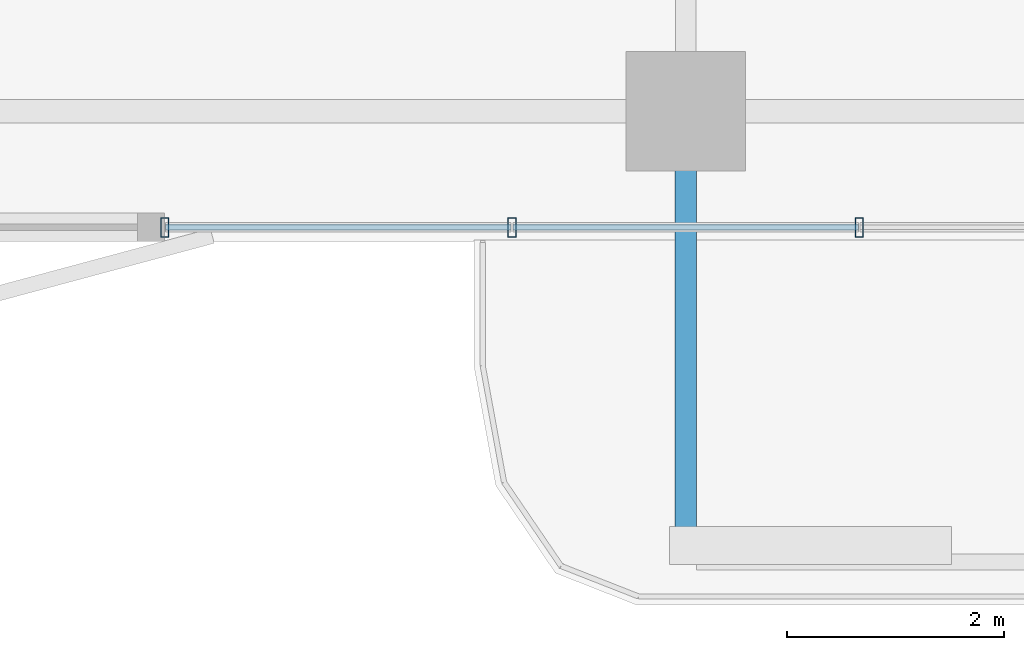
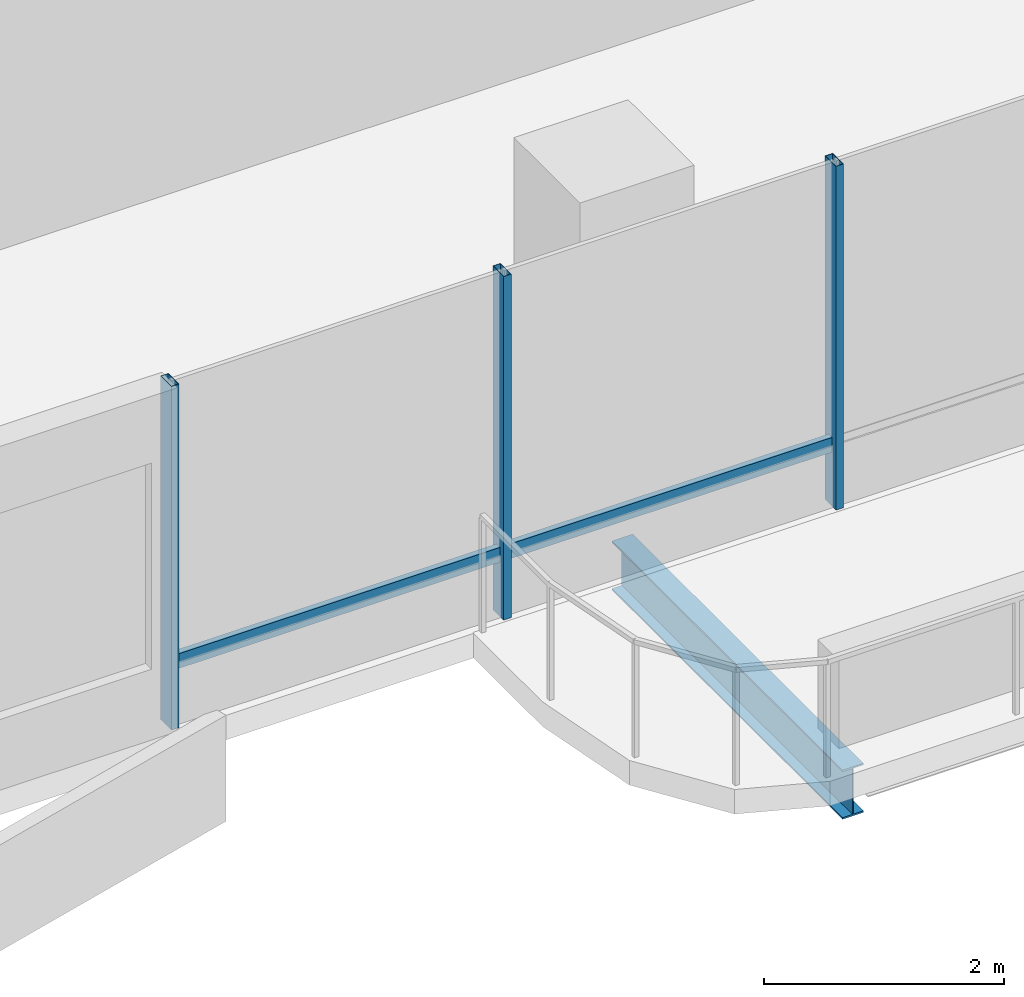
# One storey, part 2 of 24: 5 members, 1 beam, 1 element without a shape of its own.
"""IFC4 building model written with IfcOpenShell, lengths in metres."""

from ifc_helpers import new_model, si_unit, direction, frame, origin, origin_2d, place, context, subcontext, project, spatial, hollow_rectangle, i_section, extrude, material, layer, layer_set, material_profile, profile_set, type_object, element, aggregate, save


model = new_model("IFC4")

# Units and contexts
model_context = context("Model", 3, precision=1e-05, world=origin(), true_north=direction((0.0, 1.0)))
body_context = subcontext(model_context, "Body", "Model", "MODEL_VIEW")
ifc_project = project(units=[si_unit("LENGTHUNIT", "METRE"), si_unit("AREAUNIT", "SQUARE_METRE"), si_unit("VOLUMEUNIT", "CUBIC_METRE"), si_unit("PLANEANGLEUNIT", "RADIAN"), si_unit("MASSUNIT", "GRAM", prefix="KILO")], contexts=[model_context])

# Site, building, storey
site_placement = place(None, origin())
site = spatial("IfcSite", under=ifc_project, at=site_placement, CompositionType="ELEMENT")
building_placement = place(site_placement, origin())
building = spatial("IfcBuilding", under=site, at=building_placement, Name="Belovzor Exchange Tower", CompositionType="ELEMENT")
storey_placement = place(building_placement, frame((0.0, 0.0, 237.449951171875)))
storey = spatial("IfcBuildingStorey", under=building, at=storey_placement, Name="L59", CompositionType="ELEMENT", Elevation=237.449951171875)

# Beam
ifc_material_1 = material(Name="Steel S355", Category="steel")
ifc_material_profile_1 = material_profile(ifc_material_1, i_section(OverallWidth=0.199951171875, OverallDepth=0.5, WebThickness=0.01025390625, FlangeThickness=0.01611328125, at=origin_2d()))
ifc_profile_set_1 = profile_set([ifc_material_profile_1], Name="Steel S355")
beam_type = type_object("IfcBeamType", Name="Planted Balcony Cantilever Beam IPE 500", PredefinedType="BEAM", material=ifc_profile_set_1)
beam_placement = place(storey_placement, frame((28.800048828125, 2.697021484375, -0.5), z_axis=(0.0, -1.0, 0.0), x_axis=(1.0, 0.0, 0.0)))
element("IfcBeam", 1, at=beam_placement, inside=storey, type_object=beam_type, Name="BC-500 Planted Balcony Cantilever Beam IPE 500", PredefinedType="BEAM", context=body_context, shape_type="SweptSolid", body=[
    extrude(i_section(OverallWidth=0.199951171875, OverallDepth=0.5, WebThickness=0.01025390625, FlangeThickness=0.01611328125, at=origin_2d()), origin(), (0.0, 0.0, 1.0), 3.85009765625),
])

# Curtain wall, members
ifc_material_2 = material(Name="Anodised Aluminium Framing", Category="aluminium")
ifc_layer = layer(ifc_material_2, 0.179931640625)
ifc_layer_set = layer_set([ifc_layer], Name="Anodised Aluminium Framing")
curtain_wall_type = type_object("IfcCurtainWallType", Name="Recessed Loggia Low-Iron Triple-Glazed Curtain Wall", PredefinedType="NOTDEFINED", material=ifc_layer_set)
curtain_wall_placement = place(storey_placement, origin())
curtain_wall = element("IfcCurtainWall", 2, at=curtain_wall_placement, inside=storey, type_object=curtain_wall_type, Name="CW3 Recessed Loggia Low-Iron Triple-Glazed Curtain Wall L59", PredefinedType="NOTDEFINED")
ifc_material_3 = material(Name="Steel S355", Category="steel")
ifc_material_profile_2 = material_profile(ifc_material_3, hollow_rectangle(XDim=0.074951171875, YDim=0.179931640625, WallThickness=0.0048828125, at=origin_2d()))
ifc_profile_set_2 = profile_set([ifc_material_profile_2], Name="Steel S355")
member_type_1 = type_object("IfcMemberType", Name="Thermally Broken Curtain Wall Mullion 180x75", PredefinedType="MULLION", material=ifc_profile_set_2)
member_1_placement = place(storey_placement, frame((30.39990234375, 1.929931640625, 0.0), z_axis=(0.0, 0.0, 1.0), x_axis=(-1.0, 0.0, 0.0)))
member_1 = element("IfcMember", 3, at=member_1_placement, type_object=member_type_1, Name="CW-M180 Curtain Wall Mullion 2", PredefinedType="MULLION", context=body_context, shape_type="SweptSolid", body=[
    extrude(hollow_rectangle(XDim=0.074951171875, YDim=0.179931640625, WallThickness=0.0048828125, at=origin_2d()), origin(), (0.0, 0.0, 1.0), 3.5),
])
member_2_placement = place(storey_placement, frame((27.199951171875, 1.929931640625, 0.0), z_axis=(0.0, 0.0, 1.0), x_axis=(-1.0, 0.0, 0.0)))
member_2 = element("IfcMember", 4, at=member_2_placement, type_object=member_type_1, Name="CW-M180 Curtain Wall Mullion 3", PredefinedType="MULLION", context=body_context, shape_type="SweptSolid", body=[
    extrude(hollow_rectangle(XDim=0.074951171875, YDim=0.179931640625, WallThickness=0.0048828125, at=origin_2d()), origin(), (0.0, 0.0, 1.0), 3.5),
])
member_3_placement = place(storey_placement, frame((24.0, 1.929931640625, 0.0), z_axis=(0.0, 0.0, 1.0), x_axis=(-1.0, 0.0, 0.0)))
member_3 = element("IfcMember", 5, at=member_3_placement, type_object=member_type_1, Name="CW-M180 Curtain Wall Mullion 4", PredefinedType="MULLION", context=body_context, shape_type="SweptSolid", body=[
    extrude(hollow_rectangle(XDim=0.074951171875, YDim=0.179931640625, WallThickness=0.0048828125, at=origin_2d()), origin(), (0.0, 0.0, 1.0), 3.5),
])
ifc_material_4 = material(Name="Steel S355", Category="steel")
ifc_material_profile_3 = material_profile(ifc_material_4, hollow_rectangle(XDim=0.06005859375, YDim=0.14990234375, WallThickness=0.00390625, at=origin_2d()))
ifc_profile_set_3 = profile_set([ifc_material_profile_3], Name="Steel S355")
member_type_2 = type_object("IfcMemberType", Name="Thermally Broken Curtain Wall Transom 150x60", PredefinedType="USERDEFINED", material=ifc_profile_set_3)
member_4_placement = place(storey_placement, frame((30.39208984375, 1.929931640625, 0.630126953125), z_axis=(-1.0, 0.0, 0.0), x_axis=(0.0, -1.0, 0.0)))
member_4 = element("IfcMember", 6, at=member_4_placement, type_object=member_type_2, Name="CW-T150 Curtain Wall Transom 2", ObjectType="TRANSOM", PredefinedType="USERDEFINED", context=body_context, shape_type="SweptSolid", body=[
    extrude(hollow_rectangle(XDim=0.06005859375, YDim=0.14990234375, WallThickness=0.00390625, at=origin_2d()), origin(), (0.0, 0.0, 1.0), 3.18408203125),
])
member_5_placement = place(storey_placement, frame((27.19189453125, 1.929931640625, 0.630126953125), z_axis=(-1.0, 0.0, 0.0), x_axis=(0.0, -1.0, 0.0)))
member_5 = element("IfcMember", 7, at=member_5_placement, type_object=member_type_2, Name="CW-T150 Curtain Wall Transom 3", ObjectType="TRANSOM", PredefinedType="USERDEFINED", context=body_context, shape_type="SweptSolid", body=[
    extrude(hollow_rectangle(XDim=0.06005859375, YDim=0.14990234375, WallThickness=0.00390625, at=origin_2d()), origin(), (0.0, 0.0, 1.0), 3.183837890625),
])
aggregate(curtain_wall, [member_1, member_2, member_3, member_4, member_5])

save(model, "model.ifc")
